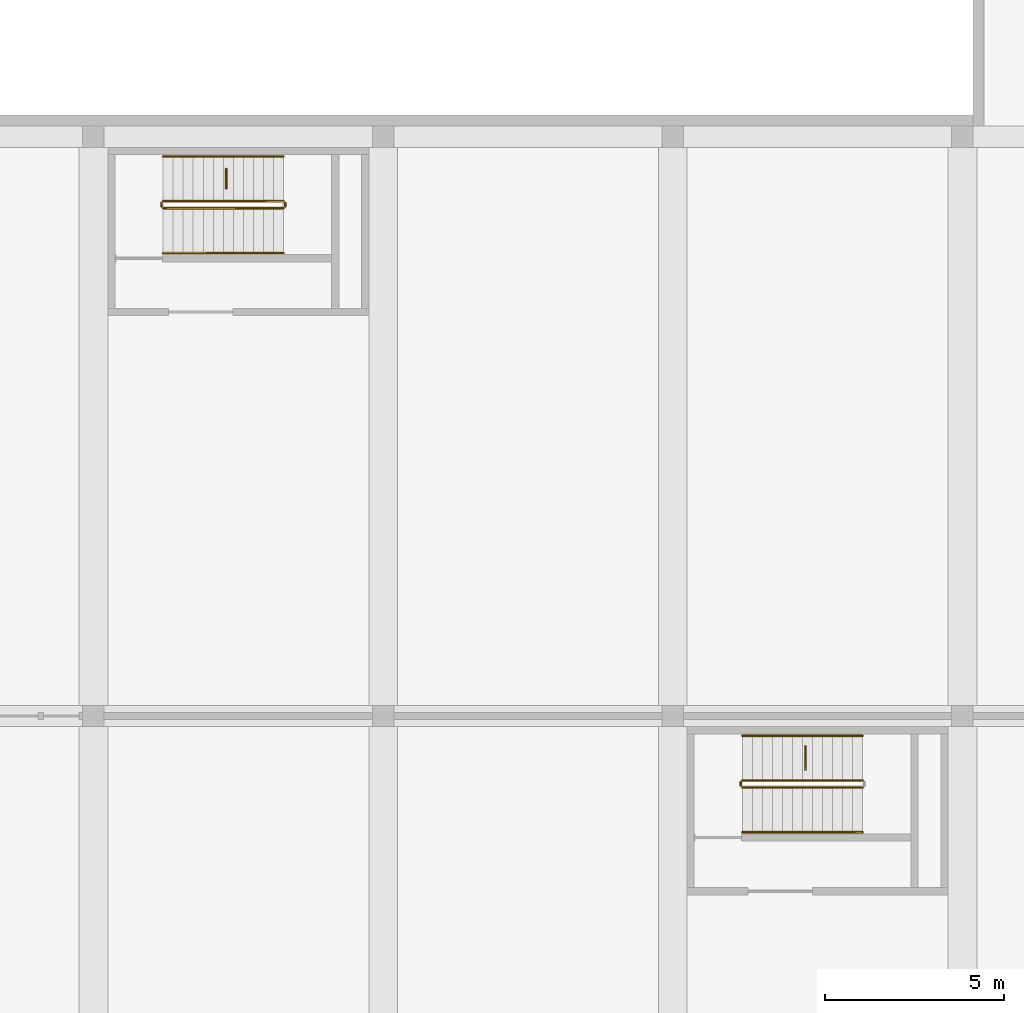
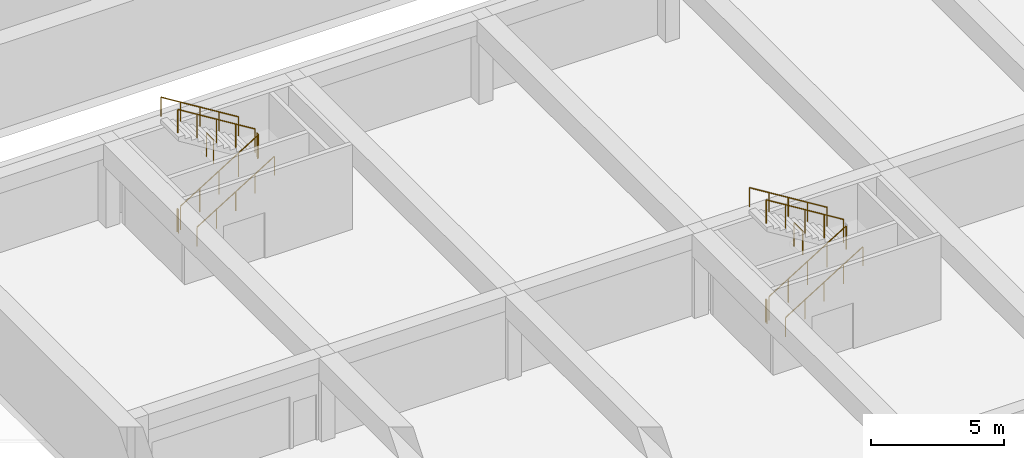
# One storey, part 17 of 23: 13 railings.
"""IFC4 building model written with IfcOpenShell, lengths in metres."""

from ifc_helpers import new_model, si_unit, direction, frame, origin, origin_2d, place, context, subcontext, project, spatial, circle, extrude, material, type_object, element, save


model = new_model("IFC4")

# Units and contexts
model_context = context("Model", 3, precision=1e-05, world=origin(), true_north=direction((0.0, 1.0)))
body_context = subcontext(model_context, "Body", "Model", "MODEL_VIEW")
ifc_project = project(units=[si_unit("LENGTHUNIT", "METRE"), si_unit("AREAUNIT", "SQUARE_METRE"), si_unit("VOLUMEUNIT", "CUBIC_METRE"), si_unit("PLANEANGLEUNIT", "RADIAN"), si_unit("MASSUNIT", "GRAM", prefix="KILO")], contexts=[model_context])

# Site, building, storey
site_placement = place(None, origin())
site = spatial("IfcSite", under=ifc_project, at=site_placement, CompositionType="ELEMENT")
building_placement = place(site_placement, origin())
building = spatial("IfcBuilding", under=site, at=building_placement, Name="Stone Belt Terrace Tower", CompositionType="ELEMENT")
storey_placement = place(building_placement, frame((0.0, 0.0, -4.5)))
storey = spatial("IfcBuildingStorey", under=building, at=storey_placement, Name="B1", CompositionType="ELEMENT", Elevation=-4.5)

# Railings
ifc_material_1 = material(Name="Structural steel C345", Category="steel")
railing_type_1 = type_object("IfcRailingType", Name="Car park guard 1100", PredefinedType="GUARDRAIL", material=ifc_material_1)
railing_1_placement = place(storey_placement, frame((-22.35009765625, -3.800048828125, 0.173095703125)))
element("IfcRailing", 1, at=railing_1_placement, inside=storey, type_object=railing_type_1, Name="B1 CS3 stair guard 1", PredefinedType="GUARDRAIL", context=body_context, shape_type="SweptSolid", body=[
    extrude(circle(Radius=0.02392578125, at=origin_2d()), frame((0.0, 0.0, 1.076171875), z_axis=(0.850623216509, 0.0, 0.525775754039), x_axis=(0.0, 1.0, 0.0)), (0.0, 0.0, 1.0), 3.9501953125),
    extrude(circle(Radius=0.02099609375, at=origin_2d()), origin(), (0.0, 0.0, 1.0), 1.052001953125),
    extrude(circle(Radius=0.02099609375, at=origin_2d()), frame((0.840087890625, 0.0, 0.519287109375)), (0.0, 0.0, 1.0), 1.052001953125),
    extrude(circle(Radius=0.02099609375, at=origin_2d()), frame((1.68017578125, 0.0, 1.03857421875)), (0.0, 0.0, 1.0), 1.052001953125),
    extrude(circle(Radius=0.02099609375, at=origin_2d()), frame((2.52001953125, 0.0, 1.5576171875)), (0.0, 0.0, 1.0), 1.052001953125),
    extrude(circle(Radius=0.02099609375, at=origin_2d()), frame((3.360107421875, 0.0, 2.076904296875)), (0.0, 0.0, 1.0), 1.052001953125),
])
railing_2_placement = place(storey_placement, frame((-18.93994140625, -3.75, 2.25)))
element("IfcRailing", 2, at=railing_2_placement, inside=storey, type_object=railing_type_1, Name="B1 CS3 stair guard 2", PredefinedType="GUARDRAIL", context=body_context, shape_type="SweptSolid", body=[
    extrude(circle(Radius=0.02392578125, at=origin_2d()), frame((0.0, 0.0, 1.076171875), z_axis=(0.0, 1.0, 0.0), x_axis=(-1.0, 0.0, 0.0)), (0.0, 0.0, 1.0), 0.10009765625),
    extrude(circle(Radius=0.02099609375, at=origin_2d()), origin(), (0.0, 0.0, 1.0), 1.052001953125),
    extrude(circle(Radius=0.02099609375, at=origin_2d()), frame((0.0, 0.10009765625, 0.0)), (0.0, 0.0, 1.0), 1.052001953125),
])
railing_3_placement = place(storey_placement, frame((-18.989990234375, -3.60009765625, 2.423095703125)))
element("IfcRailing", 3, at=railing_3_placement, inside=storey, type_object=railing_type_1, Name="B1 CS3 stair guard 3", PredefinedType="GUARDRAIL", context=body_context, shape_type="SweptSolid", body=[
    extrude(circle(Radius=0.02392578125, at=origin_2d()), frame((0.0, 0.0, 1.076171875), z_axis=(-0.850623216509, 0.0, 0.525775754039), x_axis=(0.0, -1.0, 0.0)), (0.0, 0.0, 1.0), 3.9501953125),
    extrude(circle(Radius=0.02099609375, at=origin_2d()), origin(), (0.0, 0.0, 1.0), 1.052001953125),
    extrude(circle(Radius=0.02099609375, at=origin_2d()), frame((-0.840087890625, 0.0, 0.519287109375)), (0.0, 0.0, 1.0), 1.052001953125),
    extrude(circle(Radius=0.02099609375, at=origin_2d()), frame((-1.68017578125, 0.0, 1.03857421875)), (0.0, 0.0, 1.0), 1.052001953125),
    extrude(circle(Radius=0.02099609375, at=origin_2d()), frame((-2.52001953125, 0.0, 1.5576171875)), (0.0, 0.0, 1.0), 1.052001953125),
    extrude(circle(Radius=0.02099609375, at=origin_2d()), frame((-3.360107421875, 0.0, 2.076904296875)), (0.0, 0.0, 1.0), 1.052001953125),
])
railing_4_placement = place(storey_placement, frame((-22.39990234375, -3.75, 0.0)))
element("IfcRailing", 4, at=railing_4_placement, inside=storey, type_object=railing_type_1, Name="B1 CS3 stair guard 4", PredefinedType="GUARDRAIL", context=body_context, shape_type="SweptSolid", body=[
    extrude(circle(Radius=0.02392578125, at=origin_2d()), frame((0.0, 0.0, 1.076171875), z_axis=(0.0, 1.0, 0.0), x_axis=(-1.0, 0.0, 0.0)), (0.0, 0.0, 1.0), 0.10009765625),
    extrude(circle(Radius=0.02099609375, at=origin_2d()), origin(), (0.0, 0.0, 1.0), 1.052001953125),
    extrude(circle(Radius=0.02099609375, at=origin_2d()), frame((0.0, 0.10009765625, 0.0)), (0.0, 0.0, 1.0), 1.052001953125),
])
railing_5_placement = place(storey_placement, frame((-6.14990234375, -20.0, 0.173095703125)))
element("IfcRailing", 5, at=railing_5_placement, inside=storey, type_object=railing_type_1, Name="B1 CS5 stair guard 1", PredefinedType="GUARDRAIL", context=body_context, shape_type="SweptSolid", body=[
    extrude(circle(Radius=0.02392578125, at=origin_2d()), frame((0.0, 0.0, 1.076171875), z_axis=(0.850606129759, 0.0, 0.525803396734), x_axis=(0.0, 1.0, 0.0)), (0.0, 0.0, 1.0), 3.949951171875),
    extrude(circle(Radius=0.02099609375, at=origin_2d()), origin(), (0.0, 0.0, 1.0), 1.052001953125),
    extrude(circle(Radius=0.02099609375, at=origin_2d()), frame((0.83984375, 0.0, 0.519287109375)), (0.0, 0.0, 1.0), 1.052001953125),
    extrude(circle(Radius=0.02099609375, at=origin_2d()), frame((1.679931640625, 0.0, 1.03857421875)), (0.0, 0.0, 1.0), 1.052001953125),
    extrude(circle(Radius=0.02099609375, at=origin_2d()), frame((2.52001953125, 0.0, 1.5576171875)), (0.0, 0.0, 1.0), 1.052001953125),
    extrude(circle(Radius=0.02099609375, at=origin_2d()), frame((3.35986328125, 0.0, 2.076904296875)), (0.0, 0.0, 1.0), 1.052001953125),
])
railing_6_placement = place(storey_placement, frame((-2.7900390625, -19.800048828125, 2.423095703125)))
element("IfcRailing", 6, at=railing_6_placement, inside=storey, type_object=railing_type_1, Name="B1 CS5 stair guard 3", PredefinedType="GUARDRAIL", context=body_context, shape_type="SweptSolid", body=[
    extrude(circle(Radius=0.02392578125, at=origin_2d()), frame((0.0, 0.0, 1.076171875), z_axis=(-0.850606129759, 0.0, 0.525803396734), x_axis=(0.0, -1.0, 0.0)), (0.0, 0.0, 1.0), 3.949951171875),
    extrude(circle(Radius=0.02099609375, at=origin_2d()), origin(), (0.0, 0.0, 1.0), 1.052001953125),
    extrude(circle(Radius=0.02099609375, at=origin_2d()), frame((-0.83984375, 0.0, 0.519287109375)), (0.0, 0.0, 1.0), 1.052001953125),
    extrude(circle(Radius=0.02099609375, at=origin_2d()), frame((-1.679931640625, 0.0, 1.03857421875)), (0.0, 0.0, 1.0), 1.052001953125),
    extrude(circle(Radius=0.02099609375, at=origin_2d()), frame((-2.52001953125, 0.0, 1.5576171875)), (0.0, 0.0, 1.0), 1.052001953125),
    extrude(circle(Radius=0.02099609375, at=origin_2d()), frame((-3.35986328125, 0.0, 2.076904296875)), (0.0, 0.0, 1.0), 1.052001953125),
])
railing_7_placement = place(storey_placement, frame((-6.199951171875, -19.949951171875, 0.0)))
element("IfcRailing", 7, at=railing_7_placement, inside=storey, type_object=railing_type_1, Name="B1 CS5 stair guard 4", PredefinedType="GUARDRAIL", context=body_context, shape_type="SweptSolid", body=[
    extrude(circle(Radius=0.02392578125, at=origin_2d()), frame((0.0, 0.0, 1.076171875), z_axis=(0.0, 1.0, 0.0), x_axis=(-1.0, 0.0, 0.0)), (0.0, 0.0, 1.0), 0.099853515625),
    extrude(circle(Radius=0.02099609375, at=origin_2d()), origin(), (0.0, 0.0, 1.0), 1.052001953125),
    extrude(circle(Radius=0.02099609375, at=origin_2d()), frame((0.0, 0.099853515625, 0.0)), (0.0, 0.0, 1.0), 1.052001953125),
])
railing_8_placement = place(storey_placement, frame((-4.389892578125, -19.5, 2.25)))
element("IfcRailing", 8, at=railing_8_placement, inside=storey, type_object=railing_type_1, Name="Car park stair landing guard", PredefinedType="GUARDRAIL", context=body_context, shape_type="SweptSolid", body=[
    extrude(circle(Radius=0.02392578125, at=origin_2d()), frame((0.0, 0.0, 1.076171875), z_axis=(0.0, 1.0, 0.0), x_axis=(-1.0, 0.0, 0.0)), (0.0, 0.0, 1.0), 0.64990234375),
    extrude(circle(Radius=0.02099609375, at=origin_2d()), origin(), (0.0, 0.0, 1.0), 1.052001953125),
    extrude(circle(Radius=0.02099609375, at=origin_2d()), frame((0.0, 0.64990234375, 0.0)), (0.0, 0.0, 1.0), 1.052001953125),
])
railing_9_placement = place(storey_placement, frame((-20.590087890625, -3.25, 2.25)))
element("IfcRailing", 9, at=railing_9_placement, inside=storey, type_object=railing_type_1, Name="Car park stair landing guard", PredefinedType="GUARDRAIL", context=body_context, shape_type="SweptSolid", body=[
    extrude(circle(Radius=0.02392578125, at=origin_2d()), frame((0.0, 0.0, 1.076171875), z_axis=(0.0, 1.0, 0.0), x_axis=(-1.0, 0.0, 0.0)), (0.0, 0.0, 1.0), 0.550048828125),
    extrude(circle(Radius=0.02099609375, at=origin_2d()), origin(), (0.0, 0.0, 1.0), 1.052001953125),
    extrude(circle(Radius=0.02099609375, at=origin_2d()), frame((0.0, 0.550048828125, 0.0)), (0.0, 0.0, 1.0), 1.052001953125),
])
ifc_material_2 = material(Name="Stainless steel", Category="steel")
railing_type_2 = type_object("IfcRailingType", Name="Car park handrail 900", PredefinedType="HANDRAIL", material=ifc_material_2)
railing_10_placement = place(storey_placement, frame((-22.35009765625, -5.050048828125, 0.173095703125)))
element("IfcRailing", 10, at=railing_10_placement, inside=storey, type_object=railing_type_2, Name="B1 CS3 stair handrail 1", PredefinedType="HANDRAIL", context=body_context, shape_type="SweptSolid", body=[
    extrude(circle(Radius=0.02392578125, at=origin_2d()), frame((0.0, 0.0, 0.8759765625), z_axis=(0.850623216509, 0.0, 0.525775754039), x_axis=(0.0, 1.0, 0.0)), (0.0, 0.0, 1.0), 3.9501953125),
    extrude(circle(Radius=0.02099609375, at=origin_2d()), origin(), (0.0, 0.0, 1.0), 0.851806640625),
    extrude(circle(Radius=0.02099609375, at=origin_2d()), frame((0.840087890625, 0.0, 0.519287109375)), (0.0, 0.0, 1.0), 0.851806640625),
    extrude(circle(Radius=0.02099609375, at=origin_2d()), frame((1.68017578125, 0.0, 1.03857421875)), (0.0, 0.0, 1.0), 0.851806640625),
    extrude(circle(Radius=0.02099609375, at=origin_2d()), frame((2.52001953125, 0.0, 1.5576171875)), (0.0, 0.0, 1.0), 0.851806640625),
    extrude(circle(Radius=0.02099609375, at=origin_2d()), frame((3.360107421875, 0.0, 2.076904296875)), (0.0, 0.0, 1.0), 0.851806640625),
])
railing_11_placement = place(storey_placement, frame((-18.989990234375, -2.35009765625, 2.423095703125)))
element("IfcRailing", 11, at=railing_11_placement, inside=storey, type_object=railing_type_2, Name="B1 CS3 stair handrail 2", PredefinedType="HANDRAIL", context=body_context, shape_type="SweptSolid", body=[
    extrude(circle(Radius=0.02392578125, at=origin_2d()), frame((0.0, 0.0, 0.8759765625), z_axis=(-0.850623216509, 0.0, 0.525775754039), x_axis=(0.0, -1.0, 0.0)), (0.0, 0.0, 1.0), 3.9501953125),
    extrude(circle(Radius=0.02099609375, at=origin_2d()), origin(), (0.0, 0.0, 1.0), 0.851806640625),
    extrude(circle(Radius=0.02099609375, at=origin_2d()), frame((-0.840087890625, 0.0, 0.519287109375)), (0.0, 0.0, 1.0), 0.851806640625),
    extrude(circle(Radius=0.02099609375, at=origin_2d()), frame((-1.68017578125, 0.0, 1.03857421875)), (0.0, 0.0, 1.0), 0.851806640625),
    extrude(circle(Radius=0.02099609375, at=origin_2d()), frame((-2.52001953125, 0.0, 1.5576171875)), (0.0, 0.0, 1.0), 0.851806640625),
    extrude(circle(Radius=0.02099609375, at=origin_2d()), frame((-3.360107421875, 0.0, 2.076904296875)), (0.0, 0.0, 1.0), 0.851806640625),
])
railing_12_placement = place(storey_placement, frame((-6.14990234375, -21.25, 0.173095703125)))
element("IfcRailing", 12, at=railing_12_placement, inside=storey, type_object=railing_type_2, Name="B1 CS5 stair handrail 1", PredefinedType="HANDRAIL", context=body_context, shape_type="SweptSolid", body=[
    extrude(circle(Radius=0.02392578125, at=origin_2d()), frame((0.0, 0.0, 0.8759765625), z_axis=(0.850606129759, 0.0, 0.525803396734), x_axis=(0.0, 1.0, 0.0)), (0.0, 0.0, 1.0), 3.949951171875),
    extrude(circle(Radius=0.02099609375, at=origin_2d()), origin(), (0.0, 0.0, 1.0), 0.851806640625),
    extrude(circle(Radius=0.02099609375, at=origin_2d()), frame((0.83984375, 0.0, 0.519287109375)), (0.0, 0.0, 1.0), 0.851806640625),
    extrude(circle(Radius=0.02099609375, at=origin_2d()), frame((1.679931640625, 0.0, 1.03857421875)), (0.0, 0.0, 1.0), 0.851806640625),
    extrude(circle(Radius=0.02099609375, at=origin_2d()), frame((2.52001953125, 0.0, 1.5576171875)), (0.0, 0.0, 1.0), 0.851806640625),
    extrude(circle(Radius=0.02099609375, at=origin_2d()), frame((3.35986328125, 0.0, 2.076904296875)), (0.0, 0.0, 1.0), 0.851806640625),
])
railing_13_placement = place(storey_placement, frame((-2.7900390625, -18.550048828125, 2.423095703125)))
element("IfcRailing", 13, at=railing_13_placement, inside=storey, type_object=railing_type_2, Name="B1 CS5 stair handrail 2", PredefinedType="HANDRAIL", context=body_context, shape_type="SweptSolid", body=[
    extrude(circle(Radius=0.02392578125, at=origin_2d()), frame((0.0, 0.0, 0.8759765625), z_axis=(-0.850606129759, 0.0, 0.525803396734), x_axis=(0.0, -1.0, 0.0)), (0.0, 0.0, 1.0), 3.949951171875),
    extrude(circle(Radius=0.02099609375, at=origin_2d()), origin(), (0.0, 0.0, 1.0), 0.851806640625),
    extrude(circle(Radius=0.02099609375, at=origin_2d()), frame((-0.83984375, 0.0, 0.519287109375)), (0.0, 0.0, 1.0), 0.851806640625),
    extrude(circle(Radius=0.02099609375, at=origin_2d()), frame((-1.679931640625, 0.0, 1.03857421875)), (0.0, 0.0, 1.0), 0.851806640625),
    extrude(circle(Radius=0.02099609375, at=origin_2d()), frame((-2.52001953125, 0.0, 1.5576171875)), (0.0, 0.0, 1.0), 0.851806640625),
    extrude(circle(Radius=0.02099609375, at=origin_2d()), frame((-3.35986328125, 0.0, 2.076904296875)), (0.0, 0.0, 1.0), 0.851806640625),
])

save(model, "model.ifc")
